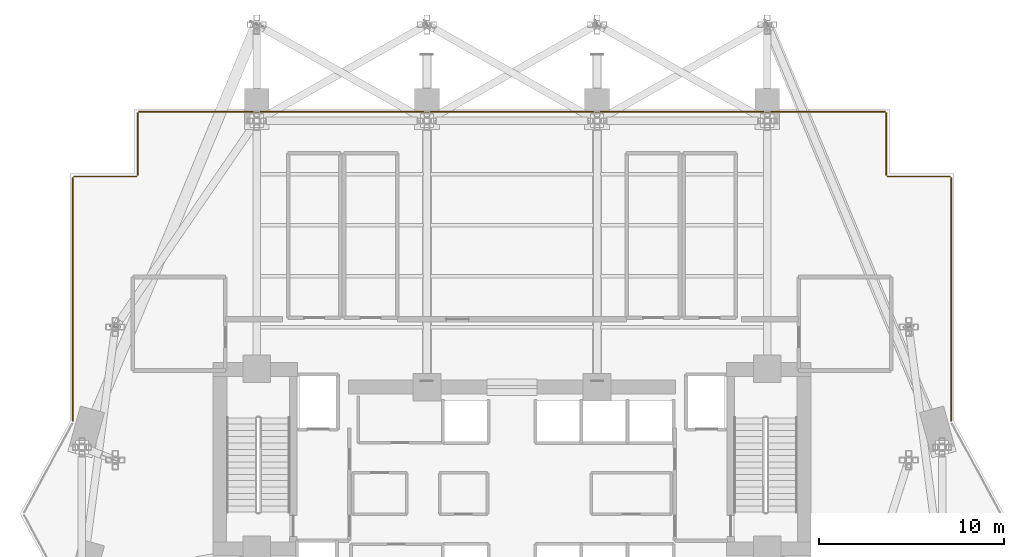
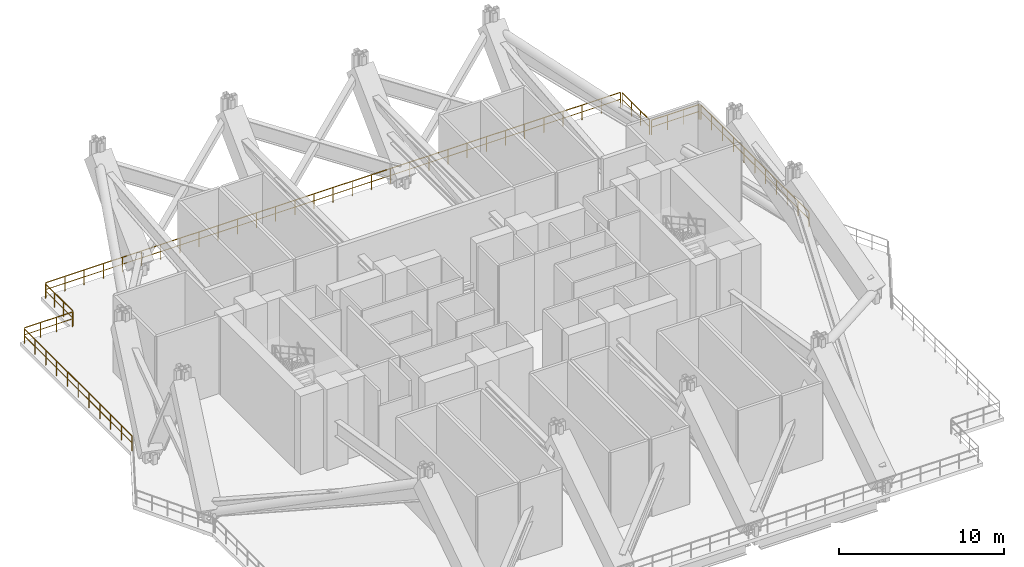
# One storey, part 18 of 18: 7 railings.
"""IFC4 building model written with IfcOpenShell, lengths in metres."""

from ifc_helpers import new_model, si_unit, direction, frame, origin, origin_2d, place, context, subcontext, project, spatial, rectangle, extrude, material, type_object, element, save


model = new_model("IFC4")

# Units and contexts
model_context = context("Model", 3, precision=1e-05, world=origin(), true_north=direction((0.0, 1.0)))
body_context = subcontext(model_context, "Body", "Model", "MODEL_VIEW")
ifc_project = project(units=[si_unit("LENGTHUNIT", "METRE"), si_unit("AREAUNIT", "SQUARE_METRE"), si_unit("VOLUMEUNIT", "CUBIC_METRE"), si_unit("PLANEANGLEUNIT", "RADIAN"), si_unit("MASSUNIT", "GRAM", prefix="KILO")], contexts=[model_context])

# Site, building, storey
site_placement = place(None, origin())
site = spatial("IfcSite", under=ifc_project, at=site_placement, CompositionType="ELEMENT")
building_placement = place(site_placement, origin())
building = spatial("IfcBuilding", under=site, at=building_placement, Name="Zuhayl Quay Hotel", CompositionType="ELEMENT")
storey_placement = place(building_placement, frame((0.0, 0.0, 162.199951171875)))
storey = spatial("IfcBuildingStorey", under=building, at=storey_placement, Name="L41", CompositionType="ELEMENT", Elevation=162.199951171875)

# Railings
ifc_material = material(Name="Anodised Aluminium and Laminated Glass", Category="aluminium")
railing_type = type_object("IfcRailingType", Name="RL_EXT_BAL_1100", PredefinedType="BALUSTRADE", material=ifc_material)
railing_1_placement = place(storey_placement, frame((-23.739990234375, 11.53955078125, 0.0)))
element("IfcRailing", 1, at=railing_1_placement, inside=storey, type_object=railing_type, Name="L41 Balcony and Terrace Guard GR_WIND_L41_06", PredefinedType="BALUSTRADE", context=body_context, shape_type="SweptSolid", body=[
    extrude(rectangle(XDim=0.048095703125, YDim=0.048095703125, at=origin_2d()), frame((0.0, 0.0, 1.09619140625), z_axis=(0.0, 1.0, 0.0), x_axis=(-1.0, 0.0, 0.0)), (0.0, 0.0, 1.0), 13.120361328125),
    extrude(rectangle(XDim=0.0361328125, YDim=0.0361328125, at=origin_2d()), frame((0.0, 0.0, 0.58251953125), z_axis=(0.0, 1.0, 0.0), x_axis=(-1.0, 0.0, 0.0)), (0.0, 0.0, 1.0), 13.120361328125),
    extrude(rectangle(XDim=0.0419921875, YDim=0.0419921875, at=origin_2d()), origin(), (0.0, 0.0, 1.0), 1.072021484375),
    extrude(rectangle(XDim=0.0419921875, YDim=0.0419921875, at=origin_2d()), frame((0.0, 1.31201171875, 0.0)), (0.0, 0.0, 1.0), 1.072021484375),
    extrude(rectangle(XDim=0.0419921875, YDim=0.0419921875, at=origin_2d()), frame((0.0, 2.6240234375, 0.0)), (0.0, 0.0, 1.0), 1.072021484375),
    extrude(rectangle(XDim=0.0419921875, YDim=0.0419921875, at=origin_2d()), frame((0.0, 3.93603515625, 0.0)), (0.0, 0.0, 1.0), 1.072021484375),
    extrude(rectangle(XDim=0.0419921875, YDim=0.0419921875, at=origin_2d()), frame((0.0, 5.248046875, 0.0)), (0.0, 0.0, 1.0), 1.072021484375),
    extrude(rectangle(XDim=0.0419921875, YDim=0.0419921875, at=origin_2d()), frame((0.0, 6.56005859375, 0.0)), (0.0, 0.0, 1.0), 1.072021484375),
    extrude(rectangle(XDim=0.0419921875, YDim=0.0419921875, at=origin_2d()), frame((0.0, 7.872314453125, 0.0)), (0.0, 0.0, 1.0), 1.072021484375),
    extrude(rectangle(XDim=0.0419921875, YDim=0.0419921875, at=origin_2d()), frame((0.0, 9.184326171875, 0.0)), (0.0, 0.0, 1.0), 1.072021484375),
    extrude(rectangle(XDim=0.0419921875, YDim=0.0419921875, at=origin_2d()), frame((0.0, 10.496337890625, 0.0)), (0.0, 0.0, 1.0), 1.072021484375),
    extrude(rectangle(XDim=0.0419921875, YDim=0.0419921875, at=origin_2d()), frame((0.0, 11.808349609375, 0.0)), (0.0, 0.0, 1.0), 1.072021484375),
    extrude(rectangle(XDim=0.0419921875, YDim=0.0419921875, at=origin_2d()), frame((0.0, 13.120361328125, 0.0)), (0.0, 0.0, 1.0), 1.072021484375),
])
railing_2_placement = place(storey_placement, frame((-23.659912109375, 24.739990234375, 0.0)))
element("IfcRailing", 2, at=railing_2_placement, inside=storey, type_object=railing_type, Name="L41 Balcony and Terrace Guard GR_WIND_L41_07", PredefinedType="BALUSTRADE", context=body_context, shape_type="SweptSolid", body=[
    extrude(rectangle(XDim=0.048095703125, YDim=0.048095703125, at=origin_2d()), frame((0.0, 0.0, 1.09619140625), z_axis=(1.0, 0.0, 0.0), x_axis=(0.0, 1.0, 0.0)), (0.0, 0.0, 1.0), 3.33984375),
    extrude(rectangle(XDim=0.0361328125, YDim=0.0361328125, at=origin_2d()), frame((0.0, 0.0, 0.58251953125), z_axis=(1.0, 0.0, 0.0), x_axis=(0.0, 1.0, 0.0)), (0.0, 0.0, 1.0), 3.33984375),
    extrude(rectangle(XDim=0.0419921875, YDim=0.0419921875, at=origin_2d()), origin(), (0.0, 0.0, 1.0), 1.072021484375),
    extrude(rectangle(XDim=0.0419921875, YDim=0.0419921875, at=origin_2d()), frame((1.11328125, 0.0, 0.0)), (0.0, 0.0, 1.0), 1.072021484375),
    extrude(rectangle(XDim=0.0419921875, YDim=0.0419921875, at=origin_2d()), frame((2.2265625, 0.0, 0.0)), (0.0, 0.0, 1.0), 1.072021484375),
    extrude(rectangle(XDim=0.0419921875, YDim=0.0419921875, at=origin_2d()), frame((3.33984375, 0.0, 0.0)), (0.0, 0.0, 1.0), 1.072021484375),
])
railing_3_placement = place(storey_placement, frame((-20.239990234375, 24.820068359375, 0.0)))
element("IfcRailing", 3, at=railing_3_placement, inside=storey, type_object=railing_type, Name="L41 Balcony and Terrace Guard GR_WIND_L41_08", PredefinedType="BALUSTRADE", context=body_context, shape_type="SweptSolid", body=[
    extrude(rectangle(XDim=0.048095703125, YDim=0.048095703125, at=origin_2d()), frame((0.0, 0.0, 1.09619140625), z_axis=(0.0, 1.0, 0.0), x_axis=(-1.0, 0.0, 0.0)), (0.0, 0.0, 1.0), 3.33984375),
    extrude(rectangle(XDim=0.0361328125, YDim=0.0361328125, at=origin_2d()), frame((0.0, 0.0, 0.58251953125), z_axis=(0.0, 1.0, 0.0), x_axis=(-1.0, 0.0, 0.0)), (0.0, 0.0, 1.0), 3.33984375),
    extrude(rectangle(XDim=0.0419921875, YDim=0.0419921875, at=origin_2d()), origin(), (0.0, 0.0, 1.0), 1.072021484375),
    extrude(rectangle(XDim=0.0419921875, YDim=0.0419921875, at=origin_2d()), frame((0.0, 1.11328125, 0.0)), (0.0, 0.0, 1.0), 1.072021484375),
    extrude(rectangle(XDim=0.0419921875, YDim=0.0419921875, at=origin_2d()), frame((0.0, 2.2265625, 0.0)), (0.0, 0.0, 1.0), 1.072021484375),
    extrude(rectangle(XDim=0.0419921875, YDim=0.0419921875, at=origin_2d()), frame((0.0, 3.33984375, 0.0)), (0.0, 0.0, 1.0), 1.072021484375),
])
railing_4_placement = place(storey_placement, frame((-20.159912109375, 28.239990234375, 0.0)))
element("IfcRailing", 4, at=railing_4_placement, inside=storey, type_object=railing_type, Name="L41 Balcony and Terrace Guard GR_WIND_L41_09", PredefinedType="BALUSTRADE", context=body_context, shape_type="SweptSolid", body=[
    extrude(rectangle(XDim=0.048095703125, YDim=0.048095703125, at=origin_2d()), frame((0.0, 0.0, 1.09619140625), z_axis=(1.0, 0.0, 0.0), x_axis=(0.0, 1.0, 0.0)), (0.0, 0.0, 1.0), 40.31982421875),
    extrude(rectangle(XDim=0.0361328125, YDim=0.0361328125, at=origin_2d()), frame((0.0, 0.0, 0.58251953125), z_axis=(1.0, 0.0, 0.0), x_axis=(0.0, 1.0, 0.0)), (0.0, 0.0, 1.0), 40.31982421875),
    extrude(rectangle(XDim=0.0419921875, YDim=0.0419921875, at=origin_2d()), origin(), (0.0, 0.0, 1.0), 1.072021484375),
    extrude(rectangle(XDim=0.0419921875, YDim=0.0419921875, at=origin_2d()), frame((1.343994140625, 0.0, 0.0)), (0.0, 0.0, 1.0), 1.072021484375),
    extrude(rectangle(XDim=0.0419921875, YDim=0.0419921875, at=origin_2d()), frame((2.68798828125, 0.0, 0.0)), (0.0, 0.0, 1.0), 1.072021484375),
    extrude(rectangle(XDim=0.0419921875, YDim=0.0419921875, at=origin_2d()), frame((4.031982421875, 0.0, 0.0)), (0.0, 0.0, 1.0), 1.072021484375),
    extrude(rectangle(XDim=0.0419921875, YDim=0.0419921875, at=origin_2d()), frame((5.3759765625, 0.0, 0.0)), (0.0, 0.0, 1.0), 1.072021484375),
    extrude(rectangle(XDim=0.0419921875, YDim=0.0419921875, at=origin_2d()), frame((6.719970703125, 0.0, 0.0)), (0.0, 0.0, 1.0), 1.072021484375),
    extrude(rectangle(XDim=0.0419921875, YDim=0.0419921875, at=origin_2d()), frame((8.06396484375, 0.0, 0.0)), (0.0, 0.0, 1.0), 1.072021484375),
    extrude(rectangle(XDim=0.0419921875, YDim=0.0419921875, at=origin_2d()), frame((9.407958984375, 0.0, 0.0)), (0.0, 0.0, 1.0), 1.072021484375),
    extrude(rectangle(XDim=0.0419921875, YDim=0.0419921875, at=origin_2d()), frame((10.751953125, 0.0, 0.0)), (0.0, 0.0, 1.0), 1.072021484375),
    extrude(rectangle(XDim=0.0419921875, YDim=0.0419921875, at=origin_2d()), frame((12.095947265625, 0.0, 0.0)), (0.0, 0.0, 1.0), 1.072021484375),
    extrude(rectangle(XDim=0.0419921875, YDim=0.0419921875, at=origin_2d()), frame((13.43994140625, 0.0, 0.0)), (0.0, 0.0, 1.0), 1.072021484375),
    extrude(rectangle(XDim=0.0419921875, YDim=0.0419921875, at=origin_2d()), frame((14.783935546875, 0.0, 0.0)), (0.0, 0.0, 1.0), 1.072021484375),
    extrude(rectangle(XDim=0.0419921875, YDim=0.0419921875, at=origin_2d()), frame((16.1279296875, 0.0, 0.0)), (0.0, 0.0, 1.0), 1.072021484375),
    extrude(rectangle(XDim=0.0419921875, YDim=0.0419921875, at=origin_2d()), frame((17.471923828125, 0.0, 0.0)), (0.0, 0.0, 1.0), 1.072021484375),
    extrude(rectangle(XDim=0.0419921875, YDim=0.0419921875, at=origin_2d()), frame((18.81591796875, 0.0, 0.0)), (0.0, 0.0, 1.0), 1.072021484375),
    extrude(rectangle(XDim=0.0419921875, YDim=0.0419921875, at=origin_2d()), frame((20.159912109375, 0.0, 0.0)), (0.0, 0.0, 1.0), 1.072021484375),
    extrude(rectangle(XDim=0.0419921875, YDim=0.0419921875, at=origin_2d()), frame((21.50390625, 0.0, 0.0)), (0.0, 0.0, 1.0), 1.072021484375),
    extrude(rectangle(XDim=0.0419921875, YDim=0.0419921875, at=origin_2d()), frame((22.847900390625, 0.0, 0.0)), (0.0, 0.0, 1.0), 1.072021484375),
    extrude(rectangle(XDim=0.0419921875, YDim=0.0419921875, at=origin_2d()), frame((24.19189453125, 0.0, 0.0)), (0.0, 0.0, 1.0), 1.072021484375),
    extrude(rectangle(XDim=0.0419921875, YDim=0.0419921875, at=origin_2d()), frame((25.535888671875, 0.0, 0.0)), (0.0, 0.0, 1.0), 1.072021484375),
    extrude(rectangle(XDim=0.0419921875, YDim=0.0419921875, at=origin_2d()), frame((26.8798828125, 0.0, 0.0)), (0.0, 0.0, 1.0), 1.072021484375),
    extrude(rectangle(XDim=0.0419921875, YDim=0.0419921875, at=origin_2d()), frame((28.223876953125, 0.0, 0.0)), (0.0, 0.0, 1.0), 1.072021484375),
    extrude(rectangle(XDim=0.0419921875, YDim=0.0419921875, at=origin_2d()), frame((29.56787109375, 0.0, 0.0)), (0.0, 0.0, 1.0), 1.072021484375),
    extrude(rectangle(XDim=0.0419921875, YDim=0.0419921875, at=origin_2d()), frame((30.911865234375, 0.0, 0.0)), (0.0, 0.0, 1.0), 1.072021484375),
    extrude(rectangle(XDim=0.0419921875, YDim=0.0419921875, at=origin_2d()), frame((32.255859375, 0.0, 0.0)), (0.0, 0.0, 1.0), 1.072021484375),
    extrude(rectangle(XDim=0.0419921875, YDim=0.0419921875, at=origin_2d()), frame((33.599853515625, 0.0, 0.0)), (0.0, 0.0, 1.0), 1.072021484375),
    extrude(rectangle(XDim=0.0419921875, YDim=0.0419921875, at=origin_2d()), frame((34.94384765625, 0.0, 0.0)), (0.0, 0.0, 1.0), 1.072021484375),
    extrude(rectangle(XDim=0.0419921875, YDim=0.0419921875, at=origin_2d()), frame((36.287841796875, 0.0, 0.0)), (0.0, 0.0, 1.0), 1.072021484375),
    extrude(rectangle(XDim=0.0419921875, YDim=0.0419921875, at=origin_2d()), frame((37.6318359375, 0.0, 0.0)), (0.0, 0.0, 1.0), 1.072021484375),
    extrude(rectangle(XDim=0.0419921875, YDim=0.0419921875, at=origin_2d()), frame((38.975830078125, 0.0, 0.0)), (0.0, 0.0, 1.0), 1.072021484375),
    extrude(rectangle(XDim=0.0419921875, YDim=0.0419921875, at=origin_2d()), frame((40.31982421875, 0.0, 0.0)), (0.0, 0.0, 1.0), 1.072021484375),
])
railing_5_placement = place(storey_placement, frame((20.239990234375, 28.159912109375, 0.0)))
element("IfcRailing", 5, at=railing_5_placement, inside=storey, type_object=railing_type, Name="L41 Balcony and Terrace Guard GR_WIND_L41_10", PredefinedType="BALUSTRADE", context=body_context, shape_type="SweptSolid", body=[
    extrude(rectangle(XDim=0.048095703125, YDim=0.048095703125, at=origin_2d()), frame((0.0, 0.0, 1.09619140625), z_axis=(0.0, -1.0, 0.0), x_axis=(1.0, 0.0, 0.0)), (0.0, 0.0, 1.0), 3.33984375),
    extrude(rectangle(XDim=0.0361328125, YDim=0.0361328125, at=origin_2d()), frame((0.0, 0.0, 0.58251953125), z_axis=(0.0, -1.0, 0.0), x_axis=(1.0, 0.0, 0.0)), (0.0, 0.0, 1.0), 3.33984375),
    extrude(rectangle(XDim=0.0419921875, YDim=0.0419921875, at=origin_2d()), origin(), (0.0, 0.0, 1.0), 1.072021484375),
    extrude(rectangle(XDim=0.0419921875, YDim=0.0419921875, at=origin_2d()), frame((0.0, -1.11328125, 0.0)), (0.0, 0.0, 1.0), 1.072021484375),
    extrude(rectangle(XDim=0.0419921875, YDim=0.0419921875, at=origin_2d()), frame((0.0, -2.2265625, 0.0)), (0.0, 0.0, 1.0), 1.072021484375),
    extrude(rectangle(XDim=0.0419921875, YDim=0.0419921875, at=origin_2d()), frame((0.0, -3.33984375, 0.0)), (0.0, 0.0, 1.0), 1.072021484375),
])
railing_6_placement = place(storey_placement, frame((20.320068359375, 24.739990234375, 0.0)))
element("IfcRailing", 6, at=railing_6_placement, inside=storey, type_object=railing_type, Name="L41 Balcony and Terrace Guard GR_WIND_L41_11", PredefinedType="BALUSTRADE", context=body_context, shape_type="SweptSolid", body=[
    extrude(rectangle(XDim=0.048095703125, YDim=0.048095703125, at=origin_2d()), frame((0.0, 0.0, 1.09619140625), z_axis=(1.0, 0.0, 0.0), x_axis=(0.0, 1.0, 0.0)), (0.0, 0.0, 1.0), 3.33984375),
    extrude(rectangle(XDim=0.0361328125, YDim=0.0361328125, at=origin_2d()), frame((0.0, 0.0, 0.58251953125), z_axis=(1.0, 0.0, 0.0), x_axis=(0.0, 1.0, 0.0)), (0.0, 0.0, 1.0), 3.33984375),
    extrude(rectangle(XDim=0.0419921875, YDim=0.0419921875, at=origin_2d()), origin(), (0.0, 0.0, 1.0), 1.072021484375),
    extrude(rectangle(XDim=0.0419921875, YDim=0.0419921875, at=origin_2d()), frame((1.11328125, 0.0, 0.0)), (0.0, 0.0, 1.0), 1.072021484375),
    extrude(rectangle(XDim=0.0419921875, YDim=0.0419921875, at=origin_2d()), frame((2.2265625, 0.0, 0.0)), (0.0, 0.0, 1.0), 1.072021484375),
    extrude(rectangle(XDim=0.0419921875, YDim=0.0419921875, at=origin_2d()), frame((3.33984375, 0.0, 0.0)), (0.0, 0.0, 1.0), 1.072021484375),
])
railing_7_placement = place(storey_placement, frame((23.739990234375, 24.659912109375, 0.0)))
element("IfcRailing", 7, at=railing_7_placement, inside=storey, type_object=railing_type, Name="L41 Balcony and Terrace Guard GR_WIND_L41_12", PredefinedType="BALUSTRADE", context=body_context, shape_type="SweptSolid", body=[
    extrude(rectangle(XDim=0.048095703125, YDim=0.048095703125, at=origin_2d()), frame((0.0, 0.0, 1.09619140625), z_axis=(0.0, -1.0, 0.0), x_axis=(1.0, 0.0, 0.0)), (0.0, 0.0, 1.0), 13.120361328125),
    extrude(rectangle(XDim=0.0361328125, YDim=0.0361328125, at=origin_2d()), frame((0.0, 0.0, 0.58251953125), z_axis=(0.0, -1.0, 0.0), x_axis=(1.0, 0.0, 0.0)), (0.0, 0.0, 1.0), 13.120361328125),
    extrude(rectangle(XDim=0.0419921875, YDim=0.0419921875, at=origin_2d()), origin(), (0.0, 0.0, 1.0), 1.072021484375),
    extrude(rectangle(XDim=0.0419921875, YDim=0.0419921875, at=origin_2d()), frame((0.0, -1.31201171875, 0.0)), (0.0, 0.0, 1.0), 1.072021484375),
    extrude(rectangle(XDim=0.0419921875, YDim=0.0419921875, at=origin_2d()), frame((0.0, -2.6240234375, 0.0)), (0.0, 0.0, 1.0), 1.072021484375),
    extrude(rectangle(XDim=0.0419921875, YDim=0.0419921875, at=origin_2d()), frame((0.0, -3.93603515625, 0.0)), (0.0, 0.0, 1.0), 1.072021484375),
    extrude(rectangle(XDim=0.0419921875, YDim=0.0419921875, at=origin_2d()), frame((0.0, -5.248046875, 0.0)), (0.0, 0.0, 1.0), 1.072021484375),
    extrude(rectangle(XDim=0.0419921875, YDim=0.0419921875, at=origin_2d()), frame((0.0, -6.56005859375, 0.0)), (0.0, 0.0, 1.0), 1.072021484375),
    extrude(rectangle(XDim=0.0419921875, YDim=0.0419921875, at=origin_2d()), frame((0.0, -7.872314453125, 0.0)), (0.0, 0.0, 1.0), 1.072021484375),
    extrude(rectangle(XDim=0.0419921875, YDim=0.0419921875, at=origin_2d()), frame((0.0, -9.184326171875, 0.0)), (0.0, 0.0, 1.0), 1.072021484375),
    extrude(rectangle(XDim=0.0419921875, YDim=0.0419921875, at=origin_2d()), frame((0.0, -10.496337890625, 0.0)), (0.0, 0.0, 1.0), 1.072021484375),
    extrude(rectangle(XDim=0.0419921875, YDim=0.0419921875, at=origin_2d()), frame((0.0, -11.808349609375, 0.0)), (0.0, 0.0, 1.0), 1.072021484375),
    extrude(rectangle(XDim=0.0419921875, YDim=0.0419921875, at=origin_2d()), frame((0.0, -13.120361328125, 0.0)), (0.0, 0.0, 1.0), 1.072021484375),
])

save(model, "model.ifc")
